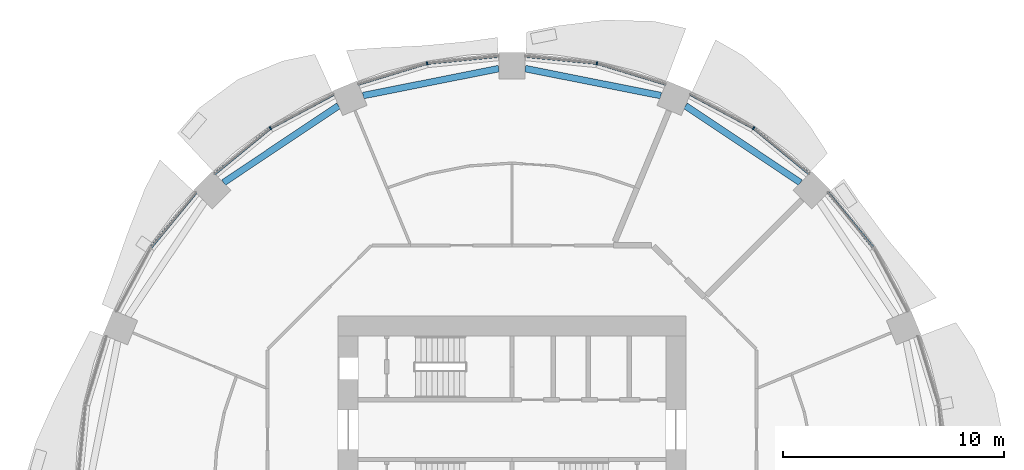
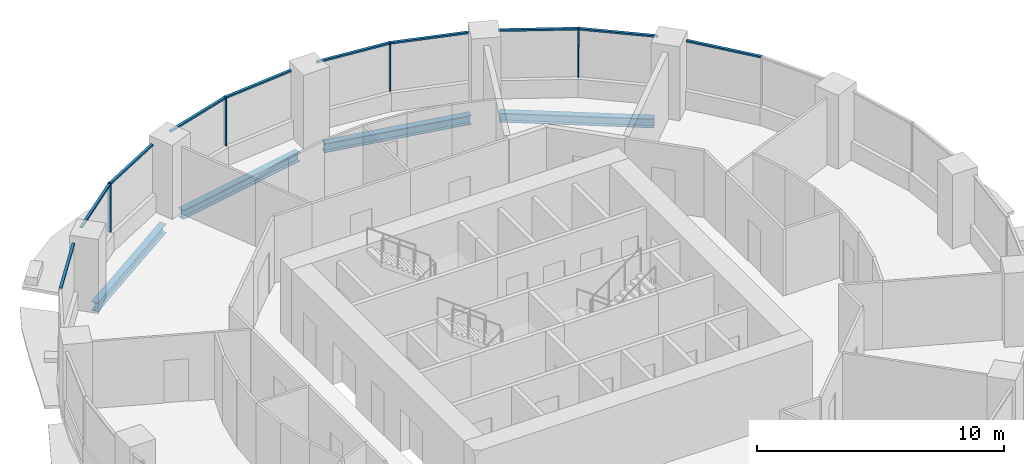
# One storey, part 6 of 15: 14 members, 4 beams, 6 elements without a shape of their own.
"""IFC4 building model written with IfcOpenShell, lengths in metres."""

from ifc_helpers import new_model, si_unit, direction, frame, origin, origin_2d, place, context, subcontext, project, spatial, rectangle, i_section, extrude, material, material_profile, profile_set, type_object, element, aggregate, save


model = new_model("IFC4")

# Units and contexts
model_context = context("Model", 3, precision=1e-05, world=origin(), true_north=direction((0.0, 1.0)))
body_context = subcontext(model_context, "Body", "Model", "MODEL_VIEW")
ifc_project = project(units=[si_unit("LENGTHUNIT", "METRE"), si_unit("AREAUNIT", "SQUARE_METRE"), si_unit("VOLUMEUNIT", "CUBIC_METRE"), si_unit("PLANEANGLEUNIT", "RADIAN"), si_unit("MASSUNIT", "GRAM", prefix="KILO")], contexts=[model_context])

# Site, building, storey
site_placement = place(None, origin())
site = spatial("IfcSite", under=ifc_project, at=site_placement, CompositionType="ELEMENT")
building_placement = place(site_placement, origin())
building = spatial("IfcBuilding", under=site, at=building_placement, Name="Polderwave Tower", CompositionType="ELEMENT")
storey_placement = place(building_placement, frame((0.0, 0.0, 33.5)))
storey = spatial("IfcBuildingStorey", under=building, at=storey_placement, Name="L08", CompositionType="ELEMENT", Elevation=33.5)

# Curtain wall, member
ifc_material_1 = material(Name="Aluminium 6063-T6 and glass", Category="aluminium")
curtain_wall_type = type_object("IfcCurtainWallType", Name="Growing floor ribbon glazing wall", PredefinedType="NOTDEFINED", material=ifc_material_1)
curtain_wall_1_placement = place(storey_placement, origin())
curtain_wall_1 = element("IfcCurtainWall", 1, at=curtain_wall_1_placement, inside=storey, type_object=curtain_wall_type, Name="CW2 L08 02", PredefinedType="NOTDEFINED")
ifc_material_2 = material(Name="Aluminium 6063-T6", Category="aluminium")
ifc_material_profile_1 = material_profile(ifc_material_2, rectangle(XDim=0.14990234375, YDim=0.06005859375, at=origin_2d()), Name="AL 60x150")
ifc_profile_set_1 = profile_set([ifc_material_profile_1], Name="Aluminium 6063-T6")
member_type_1 = type_object("IfcMemberType", Name="Growing floor ribbon glazing mullion 60x150", PredefinedType="MULLION", material=ifc_profile_set_1)
member_1_placement = place(storey_placement, frame((10.945068359375, 16.3798828125, 0.89990234375), z_axis=(0.0, 0.0, 1.0), x_axis=(-0.555619572441, -0.831436642637, 0.0)))
member_1 = element("IfcMember", 2, at=member_1_placement, type_object=member_type_1, Name="CW2 mullion 1", PredefinedType="MULLION", context=body_context, shape_type="SweptSolid", body=[
    extrude(rectangle(XDim=0.14990234375, YDim=0.06005859375, at=origin_2d()), origin(), (0.0, 0.0, 1.0), 2.400146484375),
])

curtain_wall_2_placement = place(storey_placement, origin())
curtain_wall_2 = element("IfcCurtainWall", 3, at=curtain_wall_2_placement, inside=storey, type_object=curtain_wall_type, Name="CW2 L08 03", PredefinedType="NOTDEFINED")
member_2_placement = place(storey_placement, frame((3.843017578125, 19.321044921875, 0.89990234375), z_axis=(0.0, 0.0, 1.0), x_axis=(-0.19515879327, -0.980771658139, 0.0)))
member_2 = element("IfcMember", 4, at=member_2_placement, type_object=member_type_1, Name="CW2 mullion 1", PredefinedType="MULLION", context=body_context, shape_type="SweptSolid", body=[
    extrude(rectangle(XDim=0.14990234375, YDim=0.06005859375, at=origin_2d()), origin(), (0.0, 0.0, 1.0), 2.400146484375),
])

curtain_wall_3_placement = place(storey_placement, origin())
curtain_wall_3 = element("IfcCurtainWall", 5, at=curtain_wall_3_placement, inside=storey, type_object=curtain_wall_type, Name="CW2 L08 04", PredefinedType="NOTDEFINED")
member_3_placement = place(storey_placement, frame((-3.843017578125, 19.321044921875, 0.89990234375), z_axis=(0.0, 0.0, 1.0), x_axis=(0.19515879327, -0.980771658139, 0.0)))
member_3 = element("IfcMember", 6, at=member_3_placement, type_object=member_type_1, Name="CW2 mullion 1", PredefinedType="MULLION", context=body_context, shape_type="SweptSolid", body=[
    extrude(rectangle(XDim=0.14990234375, YDim=0.06005859375, at=origin_2d()), origin(), (0.0, 0.0, 1.0), 2.400146484375),
])

curtain_wall_4_placement = place(storey_placement, origin())
curtain_wall_4 = element("IfcCurtainWall", 7, at=curtain_wall_4_placement, inside=storey, type_object=curtain_wall_type, Name="CW2 L08 05", PredefinedType="NOTDEFINED")
member_4_placement = place(storey_placement, frame((-10.945068359375, 16.3798828125, 0.89990234375), z_axis=(0.0, 0.0, 1.0), x_axis=(0.555619572441, -0.831436642637, 0.0)))
member_4 = element("IfcMember", 8, at=member_4_placement, type_object=member_type_1, Name="CW2 mullion 1", PredefinedType="MULLION", context=body_context, shape_type="SweptSolid", body=[
    extrude(rectangle(XDim=0.14990234375, YDim=0.06005859375, at=origin_2d()), origin(), (0.0, 0.0, 1.0), 2.400146484375),
])

curtain_wall_5_placement = place(storey_placement, origin())
curtain_wall_5 = element("IfcCurtainWall", 9, at=curtain_wall_5_placement, inside=storey, type_object=curtain_wall_type, Name="CW2 L08 01", PredefinedType="NOTDEFINED")
ifc_material_profile_2 = material_profile(ifc_material_2, rectangle(XDim=0.1201171875, YDim=0.080078125, at=origin_2d()), Name="AL 80x120")
ifc_profile_set_2 = profile_set([ifc_material_profile_2], Name="Aluminium 6063-T6")
member_type_2 = type_object("IfcMemberType", Name="Growing floor ribbon glazing transom 80x120", PredefinedType="USERDEFINED", material=ifc_profile_set_2)
member_5_placement = place(storey_placement, frame((16.361083984375, 10.96826171875, 3.260009765625), z_axis=(-0.634537869946, 0.772891772245, 0.0), x_axis=(-0.772891772245, -0.634537869946, 0.0)))
member_5 = element("IfcMember", 10, at=member_5_placement, type_object=member_type_2, Name="CW2 transom 2", ObjectType="TRANSOM", PredefinedType="USERDEFINED", context=body_context, shape_type="SweptSolid", body=[
    extrude(rectangle(XDim=0.1201171875, YDim=0.080078125, at=origin_2d()), origin(), (0.0, 0.0, 1.0), 3.229248046875),
])
aggregate(curtain_wall_5, [member_5])

# Member
member_6_placement = place(storey_placement, frame((13.464111328125, 14.31201171875, 3.260009765625), z_axis=(-0.772891772245, 0.634537869946, 0.0), x_axis=(-0.634537869946, -0.772891772245, 0.0)))
member_6 = element("IfcMember", 11, at=member_6_placement, type_object=member_type_2, Name="CW2 transom 1", ObjectType="TRANSOM", PredefinedType="USERDEFINED", context=body_context, shape_type="SweptSolid", body=[
    extrude(rectangle(XDim=0.1201171875, YDim=0.080078125, at=origin_2d()), origin(), (0.0, 0.0, 1.0), 3.229248046875),
])

member_7_placement = place(storey_placement, frame((10.91845703125, 16.39404296875, 3.260009765625), z_axis=(-0.88192137056, 0.471396538118, 0.0), x_axis=(-0.471396538118, -0.88192137056, 0.0)))
member_7 = element("IfcMember", 12, at=member_7_placement, type_object=member_type_2, Name="CW2 transom 2", ObjectType="TRANSOM", PredefinedType="USERDEFINED", context=body_context, shape_type="SweptSolid", body=[
    extrude(rectangle(XDim=0.1201171875, YDim=0.080078125, at=origin_2d()), origin(), (0.0, 0.0, 1.0), 3.228759765625),
])

aggregate(curtain_wall_1, [member_1, member_6, member_7])

member_8_placement = place(storey_placement, frame((6.9619140625, 18.375, 3.260009765625), z_axis=(-0.956956343636, 0.290231901029, 0.0), x_axis=(-0.290231901029, -0.956956343636, 0.0)))
member_8 = element("IfcMember", 13, at=member_8_placement, type_object=member_type_2, Name="CW2 transom 1", ObjectType="TRANSOM", PredefinedType="USERDEFINED", context=body_context, shape_type="SweptSolid", body=[
    extrude(rectangle(XDim=0.1201171875, YDim=0.080078125, at=origin_2d()), origin(), (0.0, 0.0, 1.0), 3.229248046875),
])

member_9_placement = place(storey_placement, frame((3.81298828125, 19.323974609375, 3.260009765625), z_axis=(-0.995163657896, 0.098230820031, 0.0), x_axis=(-0.098230820031, -0.995163657896, 0.0)))
member_9 = element("IfcMember", 14, at=member_9_placement, type_object=member_type_2, Name="CW2 transom 2", ObjectType="TRANSOM", PredefinedType="USERDEFINED", context=body_context, shape_type="SweptSolid", body=[
    extrude(rectangle(XDim=0.1201171875, YDim=0.080078125, at=origin_2d()), origin(), (0.0, 0.0, 1.0), 3.228515625),
])

aggregate(curtain_wall_2, [member_2, member_8, member_9])

member_10_placement = place(storey_placement, frame((-0.60009765625, 19.64111328125, 3.260009765625), z_axis=(-0.995163657896, -0.098230820031, 0.0), x_axis=(0.098230820031, -0.995163657896, 0.0)))
member_10 = element("IfcMember", 15, at=member_10_placement, type_object=member_type_2, Name="CW2 transom 1", ObjectType="TRANSOM", PredefinedType="USERDEFINED", context=body_context, shape_type="SweptSolid", body=[
    extrude(rectangle(XDim=0.1201171875, YDim=0.080078125, at=origin_2d()), origin(), (0.0, 0.0, 1.0), 3.228515625),
])

member_11_placement = place(storey_placement, frame((-3.87158203125, 19.312255859375, 3.260009765625), z_axis=(-0.956956343636, -0.290231901029, 0.0), x_axis=(0.290231901029, -0.956956343636, 0.0)))
member_11 = element("IfcMember", 16, at=member_11_placement, type_object=member_type_2, Name="CW2 transom 2", ObjectType="TRANSOM", PredefinedType="USERDEFINED", context=body_context, shape_type="SweptSolid", body=[
    extrude(rectangle(XDim=0.1201171875, YDim=0.080078125, at=origin_2d()), origin(), (0.0, 0.0, 1.0), 3.229248046875),
])

aggregate(curtain_wall_3, [member_3, member_10, member_11])

member_12_placement = place(storey_placement, frame((-8.071044921875, 17.916015625, 3.260009765625), z_axis=(-0.88192137056, -0.471396538118, 0.0), x_axis=(0.471396538118, -0.88192137056, 0.0)))
member_12 = element("IfcMember", 17, at=member_12_placement, type_object=member_type_2, Name="CW2 transom 1", ObjectType="TRANSOM", PredefinedType="USERDEFINED", context=body_context, shape_type="SweptSolid", body=[
    extrude(rectangle(XDim=0.1201171875, YDim=0.080078125, at=origin_2d()), origin(), (0.0, 0.0, 1.0), 3.228759765625),
])

member_13_placement = place(storey_placement, frame((-10.96826171875, 16.361083984375, 3.260009765625), z_axis=(-0.772891772245, -0.634537869946, 0.0), x_axis=(0.634537869946, -0.772891772245, 0.0)))
member_13 = element("IfcMember", 18, at=member_13_placement, type_object=member_type_2, Name="CW2 transom 2", ObjectType="TRANSOM", PredefinedType="USERDEFINED", context=body_context, shape_type="SweptSolid", body=[
    extrude(rectangle(XDim=0.1201171875, YDim=0.080078125, at=origin_2d()), origin(), (0.0, 0.0, 1.0), 3.229248046875),
])

aggregate(curtain_wall_4, [member_4, member_12, member_13])

# Curtain wall, member
curtain_wall_6_placement = place(storey_placement, origin())
curtain_wall_6 = element("IfcCurtainWall", 19, at=curtain_wall_6_placement, inside=storey, type_object=curtain_wall_type, Name="CW2 L08 06", PredefinedType="NOTDEFINED")
member_14_placement = place(storey_placement, frame((-14.31201171875, 13.464111328125, 3.260009765625), z_axis=(-0.634537869946, -0.772891772245, 0.0), x_axis=(0.772891772245, -0.634537869946, 0.0)))
member_14 = element("IfcMember", 20, at=member_14_placement, type_object=member_type_2, Name="CW2 transom 1", ObjectType="TRANSOM", PredefinedType="USERDEFINED", context=body_context, shape_type="SweptSolid", body=[
    extrude(rectangle(XDim=0.1201171875, YDim=0.080078125, at=origin_2d()), origin(), (0.0, 0.0, 1.0), 3.229248046875),
])
aggregate(curtain_wall_6, [member_14])

# Beams
ifc_material_3 = material(Name="Steel S355", Category="steel")
ifc_material_profile_3 = material_profile(ifc_material_3, i_section(OverallWidth=0.300048828125, OverallDepth=0.449951171875, WebThickness=0.013916015625, FlangeThickness=0.02587890625, at=origin_2d()), Name="HE 450 B")
ifc_profile_set_3 = profile_set([ifc_material_profile_3], Name="Steel S355")
beam_type = type_object("IfcBeamType", Name="RING BEAM HE 450 B", PredefinedType="BEAM", material=ifc_profile_set_3)
beam_1_placement = place(storey_placement, frame((13.06787109375, 13.916259765625, -0.574951171875), z_axis=(-0.831462584076, 0.555580751359, 0.0), x_axis=(-0.555580751359, -0.831462584076, 0.0)))
element("IfcBeam", 21, at=beam_1_placement, inside=storey, type_object=beam_type, Name="ST-RB-L08-02", PredefinedType="BEAM", context=body_context, shape_type="SweptSolid", body=[
    extrude(i_section(OverallWidth=0.300048828125, OverallDepth=0.449951171875, WebThickness=0.013916015625, FlangeThickness=0.02587890625, at=origin_2d()), origin(), (0.0, 0.0, 1.0), 6.26806640625),
])
for number, where, z_axis, x_axis, name in (
    (22, (6.74755859375, 17.85791015625, -0.574951171875), (-0.98078985187, 0.195067338291, 0.0), (-0.195067338291, -0.98078985187, 0.0), "ST-RB-L08-03"),
    (23, (-0.60009765625, 19.08056640625, -0.574951171875), (-0.98078985187, -0.195067338291, 0.0), (0.195067338291, -0.98078985187, 0.0), "ST-RB-L08-04"),
):
    element("IfcBeam", number, at=place(storey_placement, frame(where, z_axis=z_axis, x_axis=x_axis)), inside=storey, type_object=beam_type, Name=name, PredefinedType="BEAM", context=body_context, shape_type="SweptSolid", body=[
        extrude(i_section(OverallWidth=0.300048828125, OverallDepth=0.449951171875, WebThickness=0.013916015625, FlangeThickness=0.02587890625, at=origin_2d()), origin(), (0.0, 0.0, 1.0), 6.267822265625),
    ])
beam_2_placement = place(storey_placement, frame((-7.856201171875, 17.398681640625, -0.574951171875), z_axis=(-0.831462584076, -0.555580751359, 0.0), x_axis=(0.555580751359, -0.831462584076, 0.0)))
element("IfcBeam", 24, at=beam_2_placement, inside=storey, type_object=beam_type, Name="ST-RB-L08-05", PredefinedType="BEAM", context=body_context, shape_type="SweptSolid", body=[
    extrude(i_section(OverallWidth=0.300048828125, OverallDepth=0.449951171875, WebThickness=0.013916015625, FlangeThickness=0.02587890625, at=origin_2d()), origin(), (0.0, 0.0, 1.0), 6.26806640625),
])

save(model, "model.ifc")
